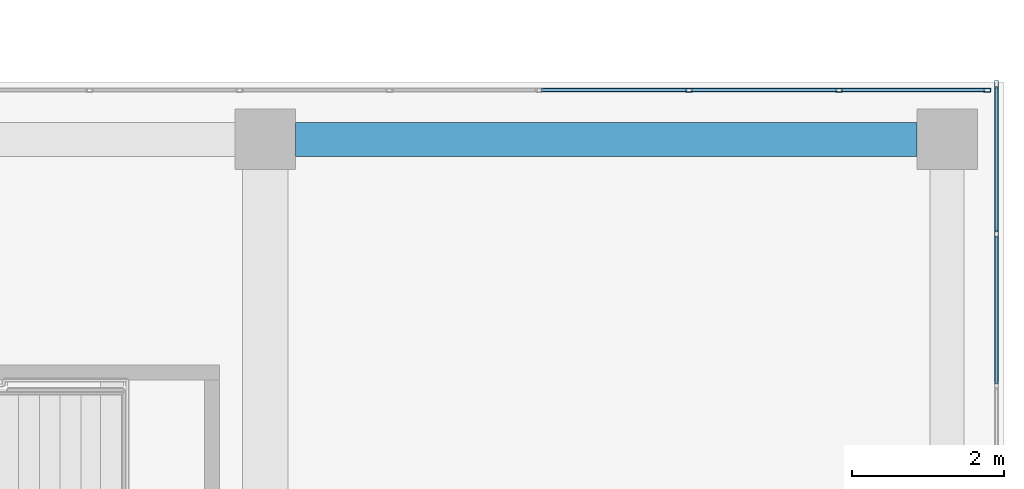
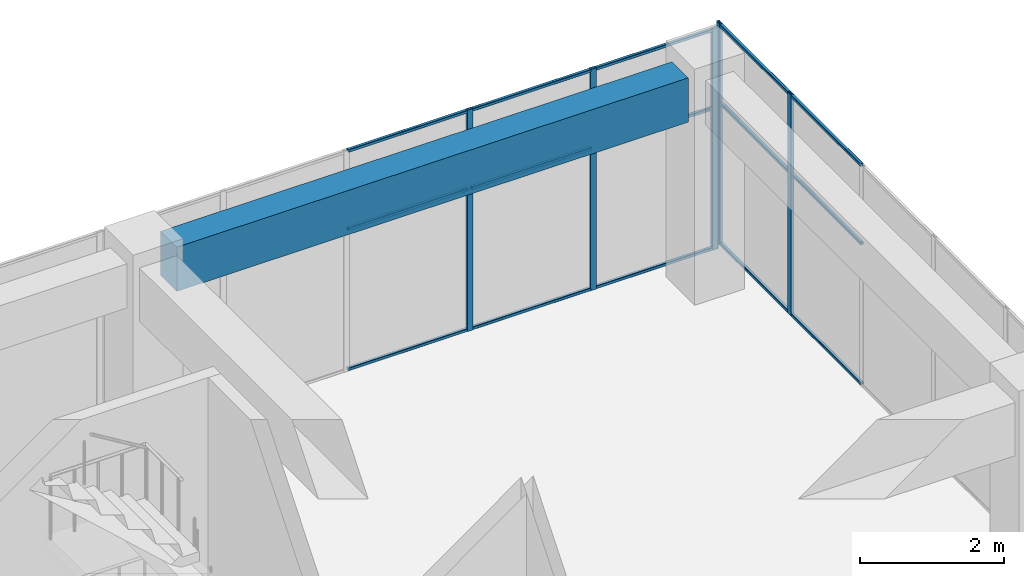
# One storey, part 46 of 65: 20 members, 1 beam, 2 elements without a shape of their own.
"""IFC4 building model written with IfcOpenShell, lengths in metres."""

from ifc_helpers import new_model, si_unit, direction, frame, origin, origin_2d, place, context, subcontext, project, spatial, rectangle, hollow_rectangle, extrude, material, layer, layer_set, material_profile, profile_set, type_object, element, aggregate, save


model = new_model("IFC4")

# Units and contexts
model_context = context("Model", 3, precision=1e-05, world=origin(), true_north=direction((0.0, 1.0)))
body_context = subcontext(model_context, "Body", "Model", "MODEL_VIEW")
ifc_project = project(units=[si_unit("LENGTHUNIT", "METRE"), si_unit("AREAUNIT", "SQUARE_METRE"), si_unit("VOLUMEUNIT", "CUBIC_METRE"), si_unit("PLANEANGLEUNIT", "RADIAN"), si_unit("MASSUNIT", "GRAM", prefix="KILO")], contexts=[model_context])

# Site, building, storey
site_placement = place(None, origin())
site = spatial("IfcSite", under=ifc_project, at=site_placement, CompositionType="ELEMENT")
building_placement = place(site_placement, origin())
building = spatial("IfcBuilding", under=site, at=building_placement, Name="Tuart Plaza Theatre", CompositionType="ELEMENT")
storey_placement = place(building_placement, frame((0.0, 0.0, 9.5)))
storey = spatial("IfcBuildingStorey", under=building, at=storey_placement, Name="L02", CompositionType="ELEMENT", Elevation=9.5)

# Beam
ifc_material_1 = material(Name="Concrete N40 (40 MPa)", Category="concrete")
ifc_material_profile_1 = material_profile(ifc_material_1, rectangle(XDim=0.449951171875, YDim=0.75, at=origin_2d()), Name="BEAM 450x750 Concrete N40 (40 MPa)")
ifc_profile_set_1 = profile_set([ifc_material_profile_1], Name="Concrete N40 (40 MPa)")
beam_type = type_object("IfcBeamType", Name="BEAM 450x750 Concrete N40 (40 MPa)", PredefinedType="BEAM", material=ifc_profile_set_1)
beam_placement = place(storey_placement, frame((141.39990234375, 92.0, 3.375), z_axis=(1.0, 0.0, 0.0), x_axis=(0.0, 1.0, 0.0)))
element("IfcBeam", 1, at=beam_placement, inside=storey, type_object=beam_type, Name="RB193", PredefinedType="BEAM", context=body_context, shape_type="SweptSolid", body=[
    extrude(rectangle(XDim=0.449951171875, YDim=0.75, at=origin_2d()), origin(), (0.0, 0.0, 1.0), 8.2001953125),
])

# Curtain wall, members
ifc_material_2 = material(Name="Aluminium and glass", Category="aluminium")
ifc_layer = layer(ifc_material_2, 0.10009765625)
ifc_layer_set = layer_set([ifc_layer], Name="CURTAIN WALL 2000 module")
curtain_wall_type = type_object("IfcCurtainWallType", Name="CURTAIN WALL 2000 module", PredefinedType="NOTDEFINED", material=ifc_layer_set)
curtain_wall_1_placement = place(storey_placement, origin())
curtain_wall_1 = element("IfcCurtainWall", 2, at=curtain_wall_1_placement, inside=storey, type_object=curtain_wall_type, Name="CW69", PredefinedType="NOTDEFINED")
ifc_material_3 = material(Name="Aluminium 6063-T5", Category="aluminium")
ifc_material_profile_2 = material_profile(ifc_material_3, hollow_rectangle(XDim=0.050048828125, YDim=0.10009765625, WallThickness=0.00390625, InnerFilletRadius=0.00390625, OuterFilletRadius=0.008056640625, at=origin_2d()), Name="RHS 100x50x4")
ifc_profile_set_2 = profile_set([ifc_material_profile_2], Name="Aluminium 6063-T5")
member_type_1 = type_object("IfcMemberType", Name="MULLION RHS 100x50x4", PredefinedType="MULLION", material=ifc_profile_set_2)
member_1_placement = place(storey_placement, frame((150.64990234375, 90.75, 0.0), z_axis=(0.0, 0.0, 1.0), x_axis=(-1.0, 0.0, 0.0)))
member_1 = element("IfcMember", 3, at=member_1_placement, type_object=member_type_1, Name="CW69 mullion 21", PredefinedType="MULLION", context=body_context, shape_type="SweptSolid", body=[
    extrude(hollow_rectangle(XDim=0.050048828125, YDim=0.10009765625, WallThickness=0.00390625, InnerFilletRadius=0.00390625, OuterFilletRadius=0.008056640625, at=origin_2d()), origin(), (0.0, 0.0, 1.0), 3.75),
])
member_2_placement = place(storey_placement, frame((150.64990234375, 92.72509765625, 0.0), z_axis=(0.0, 0.0, 1.0), x_axis=(-1.0, 0.0, 0.0)))
member_2 = element("IfcMember", 4, at=member_2_placement, type_object=member_type_1, Name="CW69 mullion 22", PredefinedType="MULLION", context=body_context, shape_type="SweptSolid", body=[
    extrude(hollow_rectangle(XDim=0.050048828125, YDim=0.10009765625, WallThickness=0.00390625, InnerFilletRadius=0.00390625, OuterFilletRadius=0.008056640625, at=origin_2d()), origin(), (0.0, 0.0, 1.0), 3.75),
])

curtain_wall_2_placement = place(storey_placement, origin())
curtain_wall_2 = element("IfcCurtainWall", 5, at=curtain_wall_2_placement, inside=storey, type_object=curtain_wall_type, Name="CW70", PredefinedType="NOTDEFINED")
member_3_placement = place(storey_placement, frame((150.52490234375, 92.64990234375, 0.0), z_axis=(0.0, 0.0, 1.0), x_axis=(0.0, -1.0, 0.0)))
member_3 = element("IfcMember", 6, at=member_3_placement, type_object=member_type_1, Name="CW70 mullion 1", PredefinedType="MULLION", context=body_context, shape_type="SweptSolid", body=[
    extrude(hollow_rectangle(XDim=0.050048828125, YDim=0.10009765625, WallThickness=0.00390625, InnerFilletRadius=0.00390625, OuterFilletRadius=0.008056640625, at=origin_2d()), origin(), (0.0, 0.0, 1.0), 3.75),
])
member_4_placement = place(storey_placement, frame((148.572265625, 92.64990234375, 0.0), z_axis=(0.0, 0.0, 1.0), x_axis=(0.0, -1.0, 0.0)))
member_4 = element("IfcMember", 7, at=member_4_placement, type_object=member_type_1, Name="CW70 mullion 2", PredefinedType="MULLION", context=body_context, shape_type="SweptSolid", body=[
    extrude(hollow_rectangle(XDim=0.050048828125, YDim=0.10009765625, WallThickness=0.00390625, InnerFilletRadius=0.00390625, OuterFilletRadius=0.008056640625, at=origin_2d()), origin(), (0.0, 0.0, 1.0), 3.75),
])
member_5_placement = place(storey_placement, frame((146.594482421875, 92.64990234375, 0.0), z_axis=(0.0, 0.0, 1.0), x_axis=(0.0, -1.0, 0.0)))
member_5 = element("IfcMember", 8, at=member_5_placement, type_object=member_type_1, Name="CW70 mullion 3", PredefinedType="MULLION", context=body_context, shape_type="SweptSolid", body=[
    extrude(hollow_rectangle(XDim=0.050048828125, YDim=0.10009765625, WallThickness=0.00390625, InnerFilletRadius=0.00390625, OuterFilletRadius=0.008056640625, at=origin_2d()), origin(), (0.0, 0.0, 1.0), 3.75),
])

# Member
ifc_material_4 = material(Name="Aluminium 6063-T5", Category="aluminium")
ifc_material_profile_3 = material_profile(ifc_material_4, hollow_rectangle(XDim=0.050048828125, YDim=0.050048828125, WallThickness=0.00390625, InnerFilletRadius=0.00390625, OuterFilletRadius=0.008056640625, at=origin_2d()), Name="RHS 50x50x4")
ifc_profile_set_3 = profile_set([ifc_material_profile_3], Name="Aluminium 6063-T5")
member_type_2 = type_object("IfcMemberType", Name="TRANSOM RHS 50x50x4", PredefinedType="USERDEFINED", material=ifc_profile_set_3)
member_6_placement = place(storey_placement, frame((150.64990234375, 88.77490234375, 0.02490234375), z_axis=(0.0, 1.0, 0.0), x_axis=(-1.0, 0.0, 0.0)))
member_6 = element("IfcMember", 9, at=member_6_placement, type_object=member_type_2, Name="CW69 transom 20.1", ObjectType="TRANSOM", PredefinedType="USERDEFINED", context=body_context, shape_type="SweptSolid", body=[
    extrude(hollow_rectangle(XDim=0.050048828125, YDim=0.050048828125, WallThickness=0.00390625, InnerFilletRadius=0.00390625, OuterFilletRadius=0.008056640625, at=origin_2d()), origin(), (0.0, 0.0, 1.0), 1.9501953125),
])

member_7_placement = place(storey_placement, frame((150.64990234375, 88.77490234375, 2.39990234375), z_axis=(0.0, 1.0, 0.0), x_axis=(-1.0, 0.0, 0.0)))
member_7 = element("IfcMember", 10, at=member_7_placement, type_object=member_type_2, Name="CW69 transom 20.2", ObjectType="TRANSOM", PredefinedType="USERDEFINED", context=body_context, shape_type="SweptSolid", body=[
    extrude(hollow_rectangle(XDim=0.050048828125, YDim=0.050048828125, WallThickness=0.00390625, InnerFilletRadius=0.00390625, OuterFilletRadius=0.008056640625, at=origin_2d()), origin(), (0.0, 0.0, 1.0), 1.9501953125),
])

member_8_placement = place(storey_placement, frame((150.64990234375, 88.77490234375, 3.72509765625), z_axis=(0.0, 1.0, 0.0), x_axis=(-1.0, 0.0, 0.0)))
member_8 = element("IfcMember", 11, at=member_8_placement, type_object=member_type_2, Name="CW69 transom 20.3", ObjectType="TRANSOM", PredefinedType="USERDEFINED", context=body_context, shape_type="SweptSolid", body=[
    extrude(hollow_rectangle(XDim=0.050048828125, YDim=0.050048828125, WallThickness=0.00390625, InnerFilletRadius=0.00390625, OuterFilletRadius=0.008056640625, at=origin_2d()), origin(), (0.0, 0.0, 1.0), 1.9501953125),
])

member_9_placement = place(storey_placement, frame((150.64990234375, 90.77490234375, 0.02490234375), z_axis=(0.0, 1.0, 0.0), x_axis=(-1.0, 0.0, 0.0)))
member_9 = element("IfcMember", 12, at=member_9_placement, type_object=member_type_2, Name="CW69 transom 21.1", ObjectType="TRANSOM", PredefinedType="USERDEFINED", context=body_context, shape_type="SweptSolid", body=[
    extrude(hollow_rectangle(XDim=0.050048828125, YDim=0.050048828125, WallThickness=0.00390625, InnerFilletRadius=0.00390625, OuterFilletRadius=0.008056640625, at=origin_2d()), origin(), (0.0, 0.0, 1.0), 1.925048828125),
])

member_10_placement = place(storey_placement, frame((150.64990234375, 90.77490234375, 2.39990234375), z_axis=(0.0, 1.0, 0.0), x_axis=(-1.0, 0.0, 0.0)))
member_10 = element("IfcMember", 13, at=member_10_placement, type_object=member_type_2, Name="CW69 transom 21.2", ObjectType="TRANSOM", PredefinedType="USERDEFINED", context=body_context, shape_type="SweptSolid", body=[
    extrude(hollow_rectangle(XDim=0.050048828125, YDim=0.050048828125, WallThickness=0.00390625, InnerFilletRadius=0.00390625, OuterFilletRadius=0.008056640625, at=origin_2d()), origin(), (0.0, 0.0, 1.0), 1.925048828125),
])

member_11_placement = place(storey_placement, frame((150.64990234375, 90.77490234375, 3.72509765625), z_axis=(0.0, 1.0, 0.0), x_axis=(-1.0, 0.0, 0.0)))
member_11 = element("IfcMember", 14, at=member_11_placement, type_object=member_type_2, Name="CW69 transom 21.3", ObjectType="TRANSOM", PredefinedType="USERDEFINED", context=body_context, shape_type="SweptSolid", body=[
    extrude(hollow_rectangle(XDim=0.050048828125, YDim=0.050048828125, WallThickness=0.00390625, InnerFilletRadius=0.00390625, OuterFilletRadius=0.008056640625, at=origin_2d()), origin(), (0.0, 0.0, 1.0), 1.925048828125),
])

aggregate(curtain_wall_1, [member_1, member_2, member_6, member_7, member_8, member_9, member_10, member_11])

member_12_placement = place(storey_placement, frame((150.5, 92.64990234375, 0.02490234375), z_axis=(-1.0, 0.0, 0.0), x_axis=(0.0, -1.0, 0.0)))
member_12 = element("IfcMember", 15, at=member_12_placement, type_object=member_type_2, Name="CW70 transom 1.1", ObjectType="TRANSOM", PredefinedType="USERDEFINED", context=body_context, shape_type="SweptSolid", body=[
    extrude(hollow_rectangle(XDim=0.050048828125, YDim=0.050048828125, WallThickness=0.00390625, InnerFilletRadius=0.00390625, OuterFilletRadius=0.008056640625, at=origin_2d()), origin(), (0.0, 0.0, 1.0), 1.90283203125),
])

member_13_placement = place(storey_placement, frame((150.5, 92.64990234375, 2.39990234375), z_axis=(-1.0, 0.0, 0.0), x_axis=(0.0, -1.0, 0.0)))
member_13 = element("IfcMember", 16, at=member_13_placement, type_object=member_type_2, Name="CW70 transom 1.2", ObjectType="TRANSOM", PredefinedType="USERDEFINED", context=body_context, shape_type="SweptSolid", body=[
    extrude(hollow_rectangle(XDim=0.050048828125, YDim=0.050048828125, WallThickness=0.00390625, InnerFilletRadius=0.00390625, OuterFilletRadius=0.008056640625, at=origin_2d()), origin(), (0.0, 0.0, 1.0), 1.90283203125),
])

member_14_placement = place(storey_placement, frame((150.5, 92.64990234375, 3.72509765625), z_axis=(-1.0, 0.0, 0.0), x_axis=(0.0, -1.0, 0.0)))
member_14 = element("IfcMember", 17, at=member_14_placement, type_object=member_type_2, Name="CW70 transom 1.3", ObjectType="TRANSOM", PredefinedType="USERDEFINED", context=body_context, shape_type="SweptSolid", body=[
    extrude(hollow_rectangle(XDim=0.050048828125, YDim=0.050048828125, WallThickness=0.00390625, InnerFilletRadius=0.00390625, OuterFilletRadius=0.008056640625, at=origin_2d()), origin(), (0.0, 0.0, 1.0), 1.90283203125),
])

member_15_placement = place(storey_placement, frame((148.547119140625, 92.64990234375, 0.02490234375), z_axis=(-1.0, 0.0, 0.0), x_axis=(0.0, -1.0, 0.0)))
member_15 = element("IfcMember", 18, at=member_15_placement, type_object=member_type_2, Name="CW70 transom 2.1", ObjectType="TRANSOM", PredefinedType="USERDEFINED", context=body_context, shape_type="SweptSolid", body=[
    extrude(hollow_rectangle(XDim=0.050048828125, YDim=0.050048828125, WallThickness=0.00390625, InnerFilletRadius=0.00390625, OuterFilletRadius=0.008056640625, at=origin_2d()), origin(), (0.0, 0.0, 1.0), 1.927734375),
])

member_16_placement = place(storey_placement, frame((148.547119140625, 92.64990234375, 2.39990234375), z_axis=(-1.0, 0.0, 0.0), x_axis=(0.0, -1.0, 0.0)))
member_16 = element("IfcMember", 19, at=member_16_placement, type_object=member_type_2, Name="CW70 transom 2.2", ObjectType="TRANSOM", PredefinedType="USERDEFINED", context=body_context, shape_type="SweptSolid", body=[
    extrude(hollow_rectangle(XDim=0.050048828125, YDim=0.050048828125, WallThickness=0.00390625, InnerFilletRadius=0.00390625, OuterFilletRadius=0.008056640625, at=origin_2d()), origin(), (0.0, 0.0, 1.0), 1.927734375),
])

member_17_placement = place(storey_placement, frame((148.547119140625, 92.64990234375, 3.72509765625), z_axis=(-1.0, 0.0, 0.0), x_axis=(0.0, -1.0, 0.0)))
member_17 = element("IfcMember", 20, at=member_17_placement, type_object=member_type_2, Name="CW70 transom 2.3", ObjectType="TRANSOM", PredefinedType="USERDEFINED", context=body_context, shape_type="SweptSolid", body=[
    extrude(hollow_rectangle(XDim=0.050048828125, YDim=0.050048828125, WallThickness=0.00390625, InnerFilletRadius=0.00390625, OuterFilletRadius=0.008056640625, at=origin_2d()), origin(), (0.0, 0.0, 1.0), 1.927734375),
])

member_18_placement = place(storey_placement, frame((146.5693359375, 92.64990234375, 0.02490234375), z_axis=(-1.0, 0.0, 0.0), x_axis=(0.0, -1.0, 0.0)))
member_18 = element("IfcMember", 21, at=member_18_placement, type_object=member_type_2, Name="CW70 transom 3.1", ObjectType="TRANSOM", PredefinedType="USERDEFINED", context=body_context, shape_type="SweptSolid", body=[
    extrude(hollow_rectangle(XDim=0.050048828125, YDim=0.050048828125, WallThickness=0.00390625, InnerFilletRadius=0.00390625, OuterFilletRadius=0.008056640625, at=origin_2d()), origin(), (0.0, 0.0, 1.0), 1.927734375),
])

member_19_placement = place(storey_placement, frame((146.5693359375, 92.64990234375, 2.39990234375), z_axis=(-1.0, 0.0, 0.0), x_axis=(0.0, -1.0, 0.0)))
member_19 = element("IfcMember", 22, at=member_19_placement, type_object=member_type_2, Name="CW70 transom 3.2", ObjectType="TRANSOM", PredefinedType="USERDEFINED", context=body_context, shape_type="SweptSolid", body=[
    extrude(hollow_rectangle(XDim=0.050048828125, YDim=0.050048828125, WallThickness=0.00390625, InnerFilletRadius=0.00390625, OuterFilletRadius=0.008056640625, at=origin_2d()), origin(), (0.0, 0.0, 1.0), 1.927734375),
])

member_20_placement = place(storey_placement, frame((146.5693359375, 92.64990234375, 3.72509765625), z_axis=(-1.0, 0.0, 0.0), x_axis=(0.0, -1.0, 0.0)))
member_20 = element("IfcMember", 23, at=member_20_placement, type_object=member_type_2, Name="CW70 transom 3.3", ObjectType="TRANSOM", PredefinedType="USERDEFINED", context=body_context, shape_type="SweptSolid", body=[
    extrude(hollow_rectangle(XDim=0.050048828125, YDim=0.050048828125, WallThickness=0.00390625, InnerFilletRadius=0.00390625, OuterFilletRadius=0.008056640625, at=origin_2d()), origin(), (0.0, 0.0, 1.0), 1.927734375),
])

aggregate(curtain_wall_2, [member_3, member_4, member_5, member_12, member_13, member_14, member_15, member_16, member_17, member_18, member_19, member_20])

save(model, "model.ifc")
